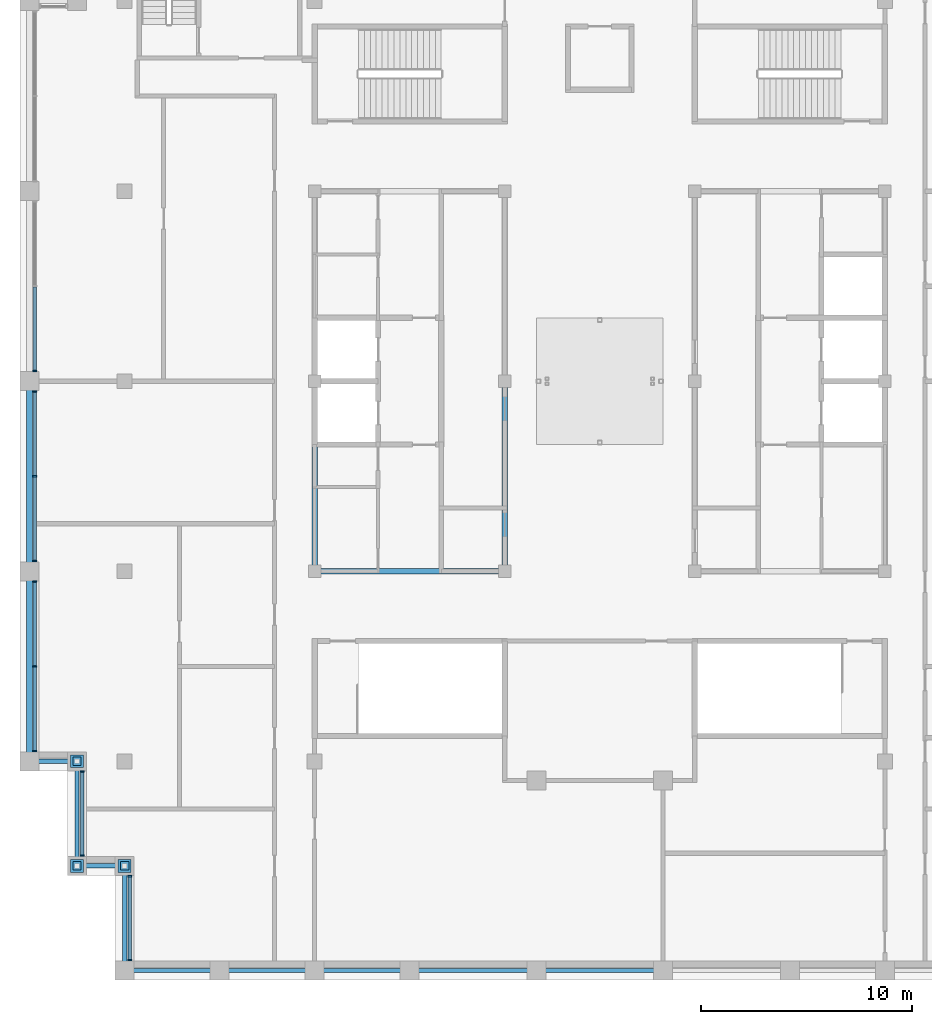
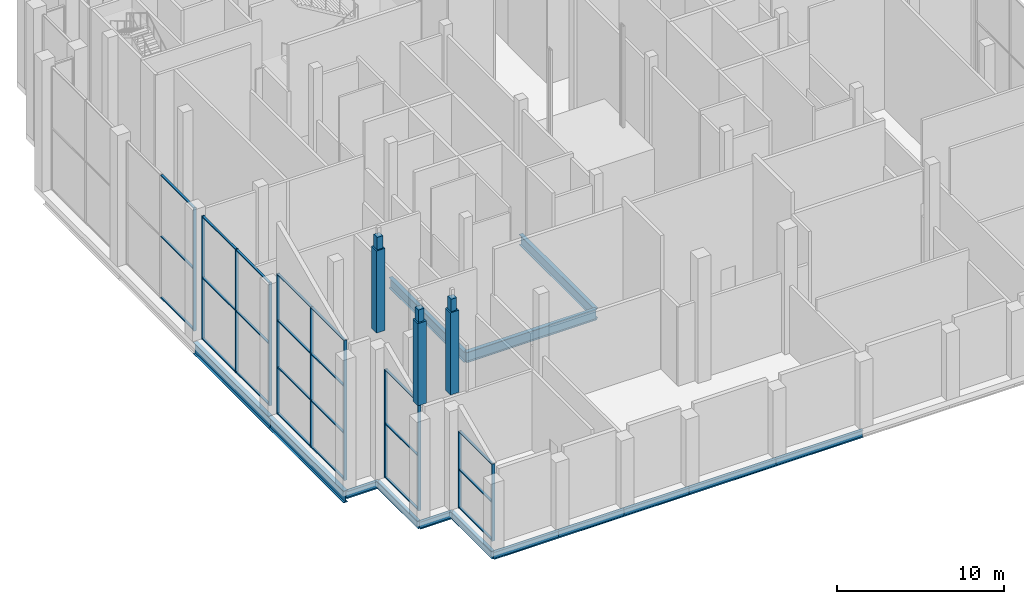
# One storey, part 2 of 16: 40 members, 14 beams, 5 elements without a shape of their own.
"""IFC4 building model written with IfcOpenShell, lengths in metres."""

from ifc_helpers import new_model, si_unit, direction, frame, origin, origin_2d, place, context, subcontext, project, spatial, rectangle, i_section, extrude, material, layer, layer_set, material_profile, profile_set, type_object, element, aggregate, save


model = new_model("IFC4")

# Units and contexts
model_context = context("Model", 3, precision=1e-05, world=origin(), true_north=direction((0.0, 1.0)))
body_context = subcontext(model_context, "Body", "Model", "MODEL_VIEW")
ifc_project = project(units=[si_unit("LENGTHUNIT", "METRE"), si_unit("AREAUNIT", "SQUARE_METRE"), si_unit("VOLUMEUNIT", "CUBIC_METRE"), si_unit("PLANEANGLEUNIT", "RADIAN"), si_unit("MASSUNIT", "GRAM", prefix="KILO")], contexts=[model_context])

# Site, building, storey
site_placement = place(None, origin())
site = spatial("IfcSite", under=ifc_project, at=site_placement, CompositionType="ELEMENT")
building_placement = place(site_placement, origin())
building = spatial("IfcBuilding", under=site, at=building_placement, Name="Corbelhall Arena Tower", CompositionType="ELEMENT")
storey_placement = place(building_placement, frame((0.0, 0.0, 366.0)))
storey = spatial("IfcBuildingStorey", under=building, at=storey_placement, Name="L80", CompositionType="ELEMENT", Elevation=366.0)

# Curtain wall, member
ifc_material_1 = material(Name="Aluminium black anodised", Category="aluminium")
ifc_layer = layer(ifc_material_1, 0.219970703125)
ifc_layer_set = layer_set([ifc_layer], Name="EV-CW2 Damper hall glazing")
curtain_wall_type = type_object("IfcCurtainWallType", Name="EV-CW2 Damper hall glazing", PredefinedType="NOTDEFINED", material=ifc_layer_set)
curtain_wall_1_placement = place(storey_placement, origin())
curtain_wall_1 = element("IfcCurtainWall", 1, at=curtain_wall_1_placement, inside=storey, type_object=curtain_wall_type, Name="Curtain wall CW2", PredefinedType="NOTDEFINED")
ifc_material_profile_1 = material_profile(ifc_material_1, rectangle(XDim=0.199951171875, YDim=0.074951171875, at=origin_2d()))
ifc_profile_set_1 = profile_set([ifc_material_profile_1], Name="Aluminium black anodised")
member_type_1 = type_object("IfcMemberType", Name="EV-CW2-MULLION", PredefinedType="MULLION", material=ifc_profile_set_1)
member_1_placement = place(storey_placement, frame((-26.75, 0.487548828125, 0.0), z_axis=(0.0, 0.0, 1.0), x_axis=(1.0, 0.0, 0.0)))
member_1 = element("IfcMember", 2, at=member_1_placement, type_object=member_type_1, Name="CW2 mullion 3", PredefinedType="MULLION", context=body_context, shape_type="SweptSolid", body=[
    extrude(rectangle(XDim=0.199951171875, YDim=0.074951171875, at=origin_2d()), origin(), (0.0, 0.0, 1.0), 8.99951171875),
])

# Curtain wall, members
curtain_wall_2_placement = place(storey_placement, origin())
curtain_wall_2 = element("IfcCurtainWall", 3, at=curtain_wall_2_placement, inside=storey, type_object=curtain_wall_type, Name="Curtain wall CW2", PredefinedType="NOTDEFINED")
member_2_placement = place(storey_placement, frame((-26.75, -0.487548828125, 0.0), z_axis=(0.0, 0.0, 1.0), x_axis=(1.0, 0.0, 0.0)))
member_2 = element("IfcMember", 4, at=member_2_placement, type_object=member_type_1, Name="CW2 mullion 1", PredefinedType="MULLION", context=body_context, shape_type="SweptSolid", body=[
    extrude(rectangle(XDim=0.199951171875, YDim=0.074951171875, at=origin_2d()), origin(), (0.0, 0.0, 1.0), 8.99951171875),
])
member_3_placement = place(storey_placement, frame((-26.75, -4.5, 0.0), z_axis=(0.0, 0.0, 1.0), x_axis=(1.0, 0.0, 0.0)))
member_3 = element("IfcMember", 5, at=member_3_placement, type_object=member_type_1, Name="CW2 mullion 2", PredefinedType="MULLION", context=body_context, shape_type="SweptSolid", body=[
    extrude(rectangle(XDim=0.199951171875, YDim=0.074951171875, at=origin_2d()), origin(), (0.0, 0.0, 1.0), 8.99951171875),
])
member_4_placement = place(storey_placement, frame((-26.75, -8.512451171875, 0.0), z_axis=(0.0, 0.0, 1.0), x_axis=(1.0, 0.0, 0.0)))
member_4 = element("IfcMember", 6, at=member_4_placement, type_object=member_type_1, Name="CW2 mullion 3", PredefinedType="MULLION", context=body_context, shape_type="SweptSolid", body=[
    extrude(rectangle(XDim=0.199951171875, YDim=0.074951171875, at=origin_2d()), origin(), (0.0, 0.0, 1.0), 8.99951171875),
])

curtain_wall_3_placement = place(storey_placement, origin())
curtain_wall_3 = element("IfcCurtainWall", 7, at=curtain_wall_3_placement, inside=storey, type_object=curtain_wall_type, Name="Curtain wall CW2D", PredefinedType="NOTDEFINED")
member_5_placement = place(storey_placement, frame((-26.75, -9.487548828125, 0.0), z_axis=(0.0, 0.0, 1.0), x_axis=(1.0, 0.0, 0.0)))
member_5 = element("IfcMember", 8, at=member_5_placement, type_object=member_type_1, Name="CW2D mullion 1", PredefinedType="MULLION", context=body_context, shape_type="SweptSolid", body=[
    extrude(rectangle(XDim=0.199951171875, YDim=0.074951171875, at=origin_2d()), origin(), (0.0, 0.0, 1.0), 10.245849609375),
])
member_6_placement = place(storey_placement, frame((-26.75, -13.5, 0.0), z_axis=(0.0, 0.0, 1.0), x_axis=(1.0, 0.0, 0.0)))
member_6 = element("IfcMember", 9, at=member_6_placement, type_object=member_type_1, Name="CW2D mullion 2", PredefinedType="MULLION", context=body_context, shape_type="SweptSolid", body=[
    extrude(rectangle(XDim=0.199951171875, YDim=0.074951171875, at=origin_2d()), origin(), (0.0, 0.0, 1.0), 10.245849609375),
])
member_7_placement = place(storey_placement, frame((-26.75, -17.512451171875, 0.0), z_axis=(0.0, 0.0, 1.0), x_axis=(1.0, 0.0, 0.0)))
member_7 = element("IfcMember", 10, at=member_7_placement, type_object=member_type_1, Name="CW2D mullion 3", PredefinedType="MULLION", context=body_context, shape_type="SweptSolid", body=[
    extrude(rectangle(XDim=0.199951171875, YDim=0.074951171875, at=origin_2d()), origin(), (0.0, 0.0, 1.0), 10.245849609375),
])

curtain_wall_4_placement = place(storey_placement, origin())
curtain_wall_4 = element("IfcCurtainWall", 11, at=curtain_wall_4_placement, inside=storey, type_object=curtain_wall_type, Name="Curtain wall CW2F", PredefinedType="NOTDEFINED")
member_8_placement = place(storey_placement, frame((-24.5, -18.487548828125, 0.0), z_axis=(0.0, 0.0, 1.0), x_axis=(1.0, 0.0, 0.0)))
member_8 = element("IfcMember", 12, at=member_8_placement, type_object=member_type_1, Name="CW2F mullion 1", PredefinedType="MULLION", context=body_context, shape_type="SweptSolid", body=[
    extrude(rectangle(XDim=0.199951171875, YDim=0.074951171875, at=origin_2d()), origin(), (0.0, 0.0, 1.0), 7.939453125),
])
member_9_placement = place(storey_placement, frame((-24.5, -22.46240234375, 0.0), z_axis=(0.0, 0.0, 1.0), x_axis=(1.0, 0.0, 0.0)))
member_9 = element("IfcMember", 13, at=member_9_placement, type_object=member_type_1, Name="CW2F mullion 2", PredefinedType="MULLION", context=body_context, shape_type="SweptSolid", body=[
    extrude(rectangle(XDim=0.199951171875, YDim=0.074951171875, at=origin_2d()), origin(), (0.0, 0.0, 1.0), 7.939453125),
])

curtain_wall_5_placement = place(storey_placement, origin())
curtain_wall_5 = element("IfcCurtainWall", 14, at=curtain_wall_5_placement, inside=storey, type_object=curtain_wall_type, Name="Curtain wall CW2E", PredefinedType="NOTDEFINED")
member_10_placement = place(storey_placement, frame((-22.25, -23.4375, 0.0), z_axis=(0.0, 0.0, 1.0), x_axis=(1.0, 0.0, 0.0)))
member_10 = element("IfcMember", 15, at=member_10_placement, type_object=member_type_1, Name="CW2E mullion 1", PredefinedType="MULLION", context=body_context, shape_type="SweptSolid", body=[
    extrude(rectangle(XDim=0.199951171875, YDim=0.074951171875, at=origin_2d()), origin(), (0.0, 0.0, 1.0), 5.633056640625),
])
member_11_placement = place(storey_placement, frame((-22.25, -27.41259765625, 0.0), z_axis=(0.0, 0.0, 1.0), x_axis=(1.0, 0.0, 0.0)))
member_11 = element("IfcMember", 16, at=member_11_placement, type_object=member_type_1, Name="CW2E mullion 2", PredefinedType="MULLION", context=body_context, shape_type="SweptSolid", body=[
    extrude(rectangle(XDim=0.199951171875, YDim=0.074951171875, at=origin_2d()), origin(), (0.0, 0.0, 1.0), 5.633056640625),
])

# Member
ifc_material_profile_2 = material_profile(ifc_material_1, rectangle(XDim=0.14990234375, YDim=0.074951171875, at=origin_2d()))
ifc_profile_set_2 = profile_set([ifc_material_profile_2], Name="Aluminium black anodised")
member_type_2 = type_object("IfcMemberType", Name="EV-CW2-TRANSOM", PredefinedType="USERDEFINED", material=ifc_profile_set_2)
member_12_placement = place(storey_placement, frame((-26.75, 4.46240234375, 0.03759765625), z_axis=(0.0, -1.0, 0.0), x_axis=(1.0, 0.0, 0.0)))
member_12 = element("IfcMember", 17, at=member_12_placement, type_object=member_type_2, Name="CW2 transom 2.1", ObjectType="transom", PredefinedType="USERDEFINED", context=body_context, shape_type="SweptSolid", body=[
    extrude(rectangle(XDim=0.14990234375, YDim=0.074951171875, at=origin_2d()), origin(), (0.0, 0.0, 1.0), 3.9375),
])

member_13_placement = place(storey_placement, frame((-26.75, 4.46240234375, 4.499755859375), z_axis=(0.0, -1.0, 0.0), x_axis=(1.0, 0.0, 0.0)))
member_13 = element("IfcMember", 18, at=member_13_placement, type_object=member_type_2, Name="CW2 transom 2.2", ObjectType="transom", PredefinedType="USERDEFINED", context=body_context, shape_type="SweptSolid", body=[
    extrude(rectangle(XDim=0.14990234375, YDim=0.074951171875, at=origin_2d()), origin(), (0.0, 0.0, 1.0), 3.9375),
])

member_14_placement = place(storey_placement, frame((-26.75, 4.46240234375, 8.962158203125), z_axis=(0.0, -1.0, 0.0), x_axis=(1.0, 0.0, 0.0)))
member_14 = element("IfcMember", 19, at=member_14_placement, type_object=member_type_2, Name="CW2 transom 2.3", ObjectType="transom", PredefinedType="USERDEFINED", context=body_context, shape_type="SweptSolid", body=[
    extrude(rectangle(XDim=0.14990234375, YDim=0.074951171875, at=origin_2d()), origin(), (0.0, 0.0, 1.0), 3.9375),
])

aggregate(curtain_wall_1, [member_1, member_12, member_13, member_14])

member_15_placement = place(storey_placement, frame((-26.75, -0.52490234375, 0.03759765625), z_axis=(0.0, -1.0, 0.0), x_axis=(1.0, 0.0, 0.0)))
member_15 = element("IfcMember", 20, at=member_15_placement, type_object=member_type_2, Name="CW2 transom 1.1", ObjectType="transom", PredefinedType="USERDEFINED", context=body_context, shape_type="SweptSolid", body=[
    extrude(rectangle(XDim=0.14990234375, YDim=0.074951171875, at=origin_2d()), origin(), (0.0, 0.0, 1.0), 3.9375),
])

member_16_placement = place(storey_placement, frame((-26.75, -0.52490234375, 4.499755859375), z_axis=(0.0, -1.0, 0.0), x_axis=(1.0, 0.0, 0.0)))
member_16 = element("IfcMember", 21, at=member_16_placement, type_object=member_type_2, Name="CW2 transom 1.2", ObjectType="transom", PredefinedType="USERDEFINED", context=body_context, shape_type="SweptSolid", body=[
    extrude(rectangle(XDim=0.14990234375, YDim=0.074951171875, at=origin_2d()), origin(), (0.0, 0.0, 1.0), 3.9375),
])

member_17_placement = place(storey_placement, frame((-26.75, -0.52490234375, 8.962158203125), z_axis=(0.0, -1.0, 0.0), x_axis=(1.0, 0.0, 0.0)))
member_17 = element("IfcMember", 22, at=member_17_placement, type_object=member_type_2, Name="CW2 transom 1.3", ObjectType="transom", PredefinedType="USERDEFINED", context=body_context, shape_type="SweptSolid", body=[
    extrude(rectangle(XDim=0.14990234375, YDim=0.074951171875, at=origin_2d()), origin(), (0.0, 0.0, 1.0), 3.9375),
])

member_18_placement = place(storey_placement, frame((-26.75, -4.53759765625, 0.03759765625), z_axis=(0.0, -1.0, 0.0), x_axis=(1.0, 0.0, 0.0)))
member_18 = element("IfcMember", 23, at=member_18_placement, type_object=member_type_2, Name="CW2 transom 2.1", ObjectType="transom", PredefinedType="USERDEFINED", context=body_context, shape_type="SweptSolid", body=[
    extrude(rectangle(XDim=0.14990234375, YDim=0.074951171875, at=origin_2d()), origin(), (0.0, 0.0, 1.0), 3.9375),
])

member_19_placement = place(storey_placement, frame((-26.75, -4.53759765625, 4.499755859375), z_axis=(0.0, -1.0, 0.0), x_axis=(1.0, 0.0, 0.0)))
member_19 = element("IfcMember", 24, at=member_19_placement, type_object=member_type_2, Name="CW2 transom 2.2", ObjectType="transom", PredefinedType="USERDEFINED", context=body_context, shape_type="SweptSolid", body=[
    extrude(rectangle(XDim=0.14990234375, YDim=0.074951171875, at=origin_2d()), origin(), (0.0, 0.0, 1.0), 3.9375),
])

member_20_placement = place(storey_placement, frame((-26.75, -4.53759765625, 8.962158203125), z_axis=(0.0, -1.0, 0.0), x_axis=(1.0, 0.0, 0.0)))
member_20 = element("IfcMember", 25, at=member_20_placement, type_object=member_type_2, Name="CW2 transom 2.3", ObjectType="transom", PredefinedType="USERDEFINED", context=body_context, shape_type="SweptSolid", body=[
    extrude(rectangle(XDim=0.14990234375, YDim=0.074951171875, at=origin_2d()), origin(), (0.0, 0.0, 1.0), 3.9375),
])

aggregate(curtain_wall_2, [member_2, member_3, member_4, member_15, member_16, member_17, member_18, member_19, member_20])

member_21_placement = place(storey_placement, frame((-26.75, -9.52490234375, 0.03759765625), z_axis=(0.0, -1.0, 0.0), x_axis=(1.0, 0.0, 0.0)))
member_21 = element("IfcMember", 26, at=member_21_placement, type_object=member_type_2, Name="CW2D transom 1.1", ObjectType="transom", PredefinedType="USERDEFINED", context=body_context, shape_type="SweptSolid", body=[
    extrude(rectangle(XDim=0.14990234375, YDim=0.074951171875, at=origin_2d()), origin(), (0.0, 0.0, 1.0), 3.9375),
])

member_22_placement = place(storey_placement, frame((-26.75, -9.52490234375, 3.415283203125), z_axis=(0.0, -1.0, 0.0), x_axis=(1.0, 0.0, 0.0)))
member_22 = element("IfcMember", 27, at=member_22_placement, type_object=member_type_2, Name="CW2D transom 1.2", ObjectType="transom", PredefinedType="USERDEFINED", context=body_context, shape_type="SweptSolid", body=[
    extrude(rectangle(XDim=0.14990234375, YDim=0.074951171875, at=origin_2d()), origin(), (0.0, 0.0, 1.0), 3.9375),
])

member_23_placement = place(storey_placement, frame((-26.75, -9.52490234375, 6.83056640625), z_axis=(0.0, -1.0, 0.0), x_axis=(1.0, 0.0, 0.0)))
member_23 = element("IfcMember", 28, at=member_23_placement, type_object=member_type_2, Name="CW2D transom 1.3", ObjectType="transom", PredefinedType="USERDEFINED", context=body_context, shape_type="SweptSolid", body=[
    extrude(rectangle(XDim=0.14990234375, YDim=0.074951171875, at=origin_2d()), origin(), (0.0, 0.0, 1.0), 3.9375),
])

member_24_placement = place(storey_placement, frame((-26.75, -9.52490234375, 10.20849609375), z_axis=(0.0, -1.0, 0.0), x_axis=(1.0, 0.0, 0.0)))
member_24 = element("IfcMember", 29, at=member_24_placement, type_object=member_type_2, Name="CW2D transom 1.4", ObjectType="transom", PredefinedType="USERDEFINED", context=body_context, shape_type="SweptSolid", body=[
    extrude(rectangle(XDim=0.14990234375, YDim=0.074951171875, at=origin_2d()), origin(), (0.0, 0.0, 1.0), 3.9375),
])

member_25_placement = place(storey_placement, frame((-26.75, -13.53759765625, 0.03759765625), z_axis=(0.0, -1.0, 0.0), x_axis=(1.0, 0.0, 0.0)))
member_25 = element("IfcMember", 30, at=member_25_placement, type_object=member_type_2, Name="CW2D transom 2.1", ObjectType="transom", PredefinedType="USERDEFINED", context=body_context, shape_type="SweptSolid", body=[
    extrude(rectangle(XDim=0.14990234375, YDim=0.074951171875, at=origin_2d()), origin(), (0.0, 0.0, 1.0), 3.9375),
])

member_26_placement = place(storey_placement, frame((-26.75, -13.53759765625, 3.415283203125), z_axis=(0.0, -1.0, 0.0), x_axis=(1.0, 0.0, 0.0)))
member_26 = element("IfcMember", 31, at=member_26_placement, type_object=member_type_2, Name="CW2D transom 2.2", ObjectType="transom", PredefinedType="USERDEFINED", context=body_context, shape_type="SweptSolid", body=[
    extrude(rectangle(XDim=0.14990234375, YDim=0.074951171875, at=origin_2d()), origin(), (0.0, 0.0, 1.0), 3.9375),
])

member_27_placement = place(storey_placement, frame((-26.75, -13.53759765625, 6.83056640625), z_axis=(0.0, -1.0, 0.0), x_axis=(1.0, 0.0, 0.0)))
member_27 = element("IfcMember", 32, at=member_27_placement, type_object=member_type_2, Name="CW2D transom 2.3", ObjectType="transom", PredefinedType="USERDEFINED", context=body_context, shape_type="SweptSolid", body=[
    extrude(rectangle(XDim=0.14990234375, YDim=0.074951171875, at=origin_2d()), origin(), (0.0, 0.0, 1.0), 3.9375),
])

member_28_placement = place(storey_placement, frame((-26.75, -13.53759765625, 10.20849609375), z_axis=(0.0, -1.0, 0.0), x_axis=(1.0, 0.0, 0.0)))
member_28 = element("IfcMember", 33, at=member_28_placement, type_object=member_type_2, Name="CW2D transom 2.4", ObjectType="transom", PredefinedType="USERDEFINED", context=body_context, shape_type="SweptSolid", body=[
    extrude(rectangle(XDim=0.14990234375, YDim=0.074951171875, at=origin_2d()), origin(), (0.0, 0.0, 1.0), 3.9375),
])

aggregate(curtain_wall_3, [member_5, member_6, member_7, member_21, member_22, member_23, member_24, member_25, member_26, member_27, member_28])

member_29_placement = place(storey_placement, frame((-24.5, -18.52490234375, 0.03759765625), z_axis=(0.0, -1.0, 0.0), x_axis=(1.0, 0.0, 0.0)))
member_29 = element("IfcMember", 34, at=member_29_placement, type_object=member_type_2, Name="CW2F transom 1.1", ObjectType="transom", PredefinedType="USERDEFINED", context=body_context, shape_type="SweptSolid", body=[
    extrude(rectangle(XDim=0.14990234375, YDim=0.074951171875, at=origin_2d()), origin(), (0.0, 0.0, 1.0), 3.900146484375),
])

member_30_placement = place(storey_placement, frame((-24.5, -18.52490234375, 3.9697265625), z_axis=(0.0, -1.0, 0.0), x_axis=(1.0, 0.0, 0.0)))
member_30 = element("IfcMember", 35, at=member_30_placement, type_object=member_type_2, Name="CW2F transom 1.2", ObjectType="transom", PredefinedType="USERDEFINED", context=body_context, shape_type="SweptSolid", body=[
    extrude(rectangle(XDim=0.14990234375, YDim=0.074951171875, at=origin_2d()), origin(), (0.0, 0.0, 1.0), 3.900146484375),
])

member_31_placement = place(storey_placement, frame((-24.5, -18.52490234375, 7.90185546875), z_axis=(0.0, -1.0, 0.0), x_axis=(1.0, 0.0, 0.0)))
member_31 = element("IfcMember", 36, at=member_31_placement, type_object=member_type_2, Name="CW2F transom 1.3", ObjectType="transom", PredefinedType="USERDEFINED", context=body_context, shape_type="SweptSolid", body=[
    extrude(rectangle(XDim=0.14990234375, YDim=0.074951171875, at=origin_2d()), origin(), (0.0, 0.0, 1.0), 3.900146484375),
])

aggregate(curtain_wall_4, [member_8, member_9, member_29, member_30, member_31])

member_32_placement = place(storey_placement, frame((-22.25, -23.47509765625, 0.03759765625), z_axis=(0.0, -1.0, 0.0), x_axis=(1.0, 0.0, 0.0)))
member_32 = element("IfcMember", 37, at=member_32_placement, type_object=member_type_2, Name="CW2E transom 1.1", ObjectType="transom", PredefinedType="USERDEFINED", context=body_context, shape_type="SweptSolid", body=[
    extrude(rectangle(XDim=0.14990234375, YDim=0.074951171875, at=origin_2d()), origin(), (0.0, 0.0, 1.0), 3.89990234375),
])

member_33_placement = place(storey_placement, frame((-22.25, -23.47509765625, 2.81640625), z_axis=(0.0, -1.0, 0.0), x_axis=(1.0, 0.0, 0.0)))
member_33 = element("IfcMember", 38, at=member_33_placement, type_object=member_type_2, Name="CW2E transom 1.2", ObjectType="transom", PredefinedType="USERDEFINED", context=body_context, shape_type="SweptSolid", body=[
    extrude(rectangle(XDim=0.14990234375, YDim=0.074951171875, at=origin_2d()), origin(), (0.0, 0.0, 1.0), 3.89990234375),
])

member_34_placement = place(storey_placement, frame((-22.25, -23.47509765625, 5.595458984375), z_axis=(0.0, -1.0, 0.0), x_axis=(1.0, 0.0, 0.0)))
member_34 = element("IfcMember", 39, at=member_34_placement, type_object=member_type_2, Name="CW2E transom 1.3", ObjectType="transom", PredefinedType="USERDEFINED", context=body_context, shape_type="SweptSolid", body=[
    extrude(rectangle(XDim=0.14990234375, YDim=0.074951171875, at=origin_2d()), origin(), (0.0, 0.0, 1.0), 3.89990234375),
])

aggregate(curtain_wall_5, [member_10, member_11, member_32, member_33, member_34])

# Members
ifc_material_2 = material(Name="Cast aluminium bronze finish", Category="aluminium")
ifc_material_profile_3 = material_profile(ifc_material_2, rectangle(XDim=0.60009765625, YDim=0.60009765625, at=origin_2d()))
ifc_profile_set_3 = profile_set([ifc_material_profile_3], Name="Cast aluminium bronze finish")
member_type_3 = type_object("IfcMemberType", Name="EV-PN1 Pinnacle", PredefinedType="USERDEFINED", material=ifc_profile_set_3)
for number, where, z_axis, x_axis, name in (
    (40, (-22.5, -22.949951171875, 8.306396484375), (0.0, 0.0, 1.0), (1.0, 0.0, 0.0), "Pinnacle"),
    (41, (-24.75, -22.949951171875, 8.306396484375), (0.0, 0.0, 1.0), (1.0, 0.0, 0.0), "Pinnacle"),
    (42, (-24.75, -18.0, 10.61279296875), (0.0, 0.0, 1.0), (1.0, 0.0, 0.0), "Pinnacle"),
):
    element("IfcMember", number, at=place(storey_placement, frame(where, z_axis=z_axis, x_axis=x_axis)), inside=storey, type_object=member_type_3, Name=name, ObjectType="pinnacle", PredefinedType="USERDEFINED", context=body_context, shape_type="SweptSolid", body=[
        extrude(rectangle(XDim=0.60009765625, YDim=0.60009765625, at=origin_2d()), origin(), (0.0, 0.0, 1.0), 6.0),
    ])
ifc_material_profile_4 = material_profile(ifc_material_2, rectangle(XDim=0.39990234375, YDim=0.39990234375, at=origin_2d()))
ifc_profile_set_4 = profile_set([ifc_material_profile_4], Name="Cast aluminium bronze finish")
member_type_4 = type_object("IfcMemberType", Name="EV-PN6 Pinnacle upper stage 400", PredefinedType="USERDEFINED", material=ifc_profile_set_4)
for number, where, z_axis, x_axis, name in (
    (43, (-22.5, -22.949951171875, 14.306396484375), (0.0, 0.0, 1.0), (1.0, 0.0, 0.0), "Pinnacle upper stage"),
    (44, (-24.75, -22.949951171875, 14.306396484375), (0.0, 0.0, 1.0), (1.0, 0.0, 0.0), "Pinnacle upper stage"),
    (45, (-24.75, -18.0, 16.61279296875), (0.0, 0.0, 1.0), (1.0, 0.0, 0.0), "Pinnacle upper stage"),
):
    element("IfcMember", number, at=place(storey_placement, frame(where, z_axis=z_axis, x_axis=x_axis)), inside=storey, type_object=member_type_4, Name=name, ObjectType="pinnacle stage", PredefinedType="USERDEFINED", context=body_context, shape_type="SweptSolid", body=[
        extrude(rectangle(XDim=0.39990234375, YDim=0.39990234375, at=origin_2d()), origin(), (0.0, 0.0, 1.0), 0.900146484375),
    ])

# Beams
ifc_material_3 = material(Name="Steel ASTM A992 Gr50", Category="steel")
ifc_material_profile_5 = material_profile(ifc_material_3, i_section(OverallWidth=0.2666015625, OverallDepth=0.761962890625, WebThickness=0.014404296875, FlangeThickness=0.021484375, at=origin_2d()))
ifc_profile_set_5 = profile_set([ifc_material_profile_5], Name="Steel ASTM A992 Gr50")
beam_type_1 = type_object("IfcBeamType", Name="ST-BEAM-W30x116", PredefinedType="BEAM", material=ifc_profile_set_5)
for number, where, z_axis, x_axis, name in (
    (46, (-13.5, -9.0, -0.781494140625), (0.0, 1.0, 0.0), (-1.0, 0.0, 0.0), "Beam CEW 1"),
    (47, (-4.5, -9.0, -0.781494140625), (0.0, 1.0, 0.0), (-1.0, 0.0, 0.0), "Beam CEW 3"),
    (48, (-13.5, -9.0, -0.781494140625), (1.0, 0.0, 0.0), (0.0, 1.0, 0.0), "Beam CEW 5"),
):
    element("IfcBeam", number, at=place(storey_placement, frame(where, z_axis=z_axis, x_axis=x_axis)), inside=storey, type_object=beam_type_1, Name=name, PredefinedType="BEAM", context=body_context, shape_type="SweptSolid", body=[
        extrude(i_section(OverallWidth=0.2666015625, OverallDepth=0.761962890625, WebThickness=0.014404296875, FlangeThickness=0.021484375, at=origin_2d()), origin(), (0.0, 0.0, 1.0), 9.0),
    ])
ifc_material_profile_6 = material_profile(ifc_material_3, i_section(OverallWidth=0.2099609375, OverallDepth=0.535888671875, WebThickness=0.010986328125, FlangeThickness=0.017333984375, at=origin_2d()))
ifc_profile_set_6 = profile_set([ifc_material_profile_6], Name="Steel ASTM A992 Gr50")
beam_type_2 = type_object("IfcBeamType", Name="ST-SPANDREL-W21x68", PredefinedType="SPANDREL", material=ifc_profile_set_6)
for number, where, z_axis, x_axis, name in (
    (49, (3.0, -27.89990234375, -0.66845703125), (-1.0, 0.0, 0.0), (0.0, -1.0, 0.0), "Beam SP 16"),
    (50, (-3.0, -27.89990234375, -0.66845703125), (-1.0, 0.0, 0.0), (0.0, -1.0, 0.0), "Beam SP 21"),
):
    element("IfcBeam", number, at=place(storey_placement, frame(where, z_axis=z_axis, x_axis=x_axis)), inside=storey, type_object=beam_type_2, Name=name, PredefinedType="SPANDREL", context=body_context, shape_type="SweptSolid", body=[
        extrude(i_section(OverallWidth=0.2099609375, OverallDepth=0.535888671875, WebThickness=0.010986328125, FlangeThickness=0.017333984375, at=origin_2d()), origin(), (0.0, 0.0, 1.0), 6.0),
    ])
for number, where, z_axis, x_axis, name in (
    (51, (-9.0, -27.89990234375, -0.66845703125), (-1.0, 0.0, 0.0), (0.0, -1.0, 0.0), "Beam SP 22"),
    (52, (-13.5, -27.89990234375, -0.66845703125), (-1.0, 0.0, 0.0), (0.0, -1.0, 0.0), "Beam SP 23"),
    (53, (-18.0, -27.89990234375, -0.66845703125), (-1.0, 0.0, 0.0), (0.0, -1.0, 0.0), "Beam SP 24"),
):
    element("IfcBeam", number, at=place(storey_placement, frame(where, z_axis=z_axis, x_axis=x_axis)), inside=storey, type_object=beam_type_2, Name=name, PredefinedType="SPANDREL", context=body_context, shape_type="SweptSolid", body=[
        extrude(i_section(OverallWidth=0.2099609375, OverallDepth=0.535888671875, WebThickness=0.010986328125, FlangeThickness=0.017333984375, at=origin_2d()), origin(), (0.0, 0.0, 1.0), 4.5),
    ])
beam_1_placement = place(storey_placement, frame((-22.5, -27.89990234375, -0.66845703125), z_axis=(0.0, 1.0, 0.0), x_axis=(-1.0, 0.0, 0.0)))
element("IfcBeam", 54, at=beam_1_placement, inside=storey, type_object=beam_type_2, Name="Beam SP 25", PredefinedType="SPANDREL", context=body_context, shape_type="SweptSolid", body=[
    extrude(i_section(OverallWidth=0.2099609375, OverallDepth=0.535888671875, WebThickness=0.010986328125, FlangeThickness=0.017333984375, at=origin_2d()), origin(), (0.0, 0.0, 1.0), 4.949951171875),
])
beam_2_placement = place(storey_placement, frame((-22.5, -22.949951171875, -0.66845703125), z_axis=(-1.0, 0.0, 0.0), x_axis=(0.0, -1.0, 0.0)))
element("IfcBeam", 55, at=beam_2_placement, inside=storey, type_object=beam_type_2, Name="Beam SP 40", PredefinedType="SPANDREL", context=body_context, shape_type="SweptSolid", body=[
    extrude(i_section(OverallWidth=0.2099609375, OverallDepth=0.535888671875, WebThickness=0.010986328125, FlangeThickness=0.017333984375, at=origin_2d()), origin(), (0.0, 0.0, 1.0), 2.25),
])
beam_3_placement = place(storey_placement, frame((-24.75, -22.949951171875, -0.66845703125), z_axis=(0.0, 1.0, 0.0), x_axis=(-1.0, 0.0, 0.0)))
element("IfcBeam", 56, at=beam_3_placement, inside=storey, type_object=beam_type_2, Name="Beam SP 41", PredefinedType="SPANDREL", context=body_context, shape_type="SweptSolid", body=[
    extrude(i_section(OverallWidth=0.2099609375, OverallDepth=0.535888671875, WebThickness=0.010986328125, FlangeThickness=0.017333984375, at=origin_2d()), origin(), (0.0, 0.0, 1.0), 4.949951171875),
])
beam_4_placement = place(storey_placement, frame((-24.75, -18.0, -0.66845703125), z_axis=(-1.0, 0.0, 0.0), x_axis=(0.0, -1.0, 0.0)))
element("IfcBeam", 57, at=beam_4_placement, inside=storey, type_object=beam_type_2, Name="Beam SP 42", PredefinedType="SPANDREL", context=body_context, shape_type="SweptSolid", body=[
    extrude(i_section(OverallWidth=0.2099609375, OverallDepth=0.535888671875, WebThickness=0.010986328125, FlangeThickness=0.017333984375, at=origin_2d()), origin(), (0.0, 0.0, 1.0), 2.25),
])
ifc_material_profile_7 = material_profile(ifc_material_3, i_section(OverallWidth=0.2919921875, OverallDepth=0.845703125, WebThickness=0.015380859375, FlangeThickness=0.0244140625, at=origin_2d()))
ifc_profile_set_7 = profile_set([ifc_material_profile_7], Name="Steel ASTM A992 Gr50")
beam_type_3 = type_object("IfcBeamType", Name="ST-SPANDREL-W33x141", PredefinedType="SPANDREL", material=ifc_profile_set_7)
for number, where, z_axis, x_axis, name in (
    (58, (-27.0, -9.0, -0.8232421875), (0.0, 1.0, 0.0), (-1.0, 0.0, 0.0), "Beam SP 29"),
    (59, (-27.0, -18.0, -0.8232421875), (0.0, 1.0, 0.0), (-1.0, 0.0, 0.0), "Beam SP 30"),
):
    element("IfcBeam", number, at=place(storey_placement, frame(where, z_axis=z_axis, x_axis=x_axis)), inside=storey, type_object=beam_type_3, Name=name, PredefinedType="SPANDREL", context=body_context, shape_type="SweptSolid", body=[
        extrude(i_section(OverallWidth=0.2919921875, OverallDepth=0.845703125, WebThickness=0.015380859375, FlangeThickness=0.0244140625, at=origin_2d()), origin(), (0.0, 0.0, 1.0), 9.0),
    ])

save(model, "model.ifc")
